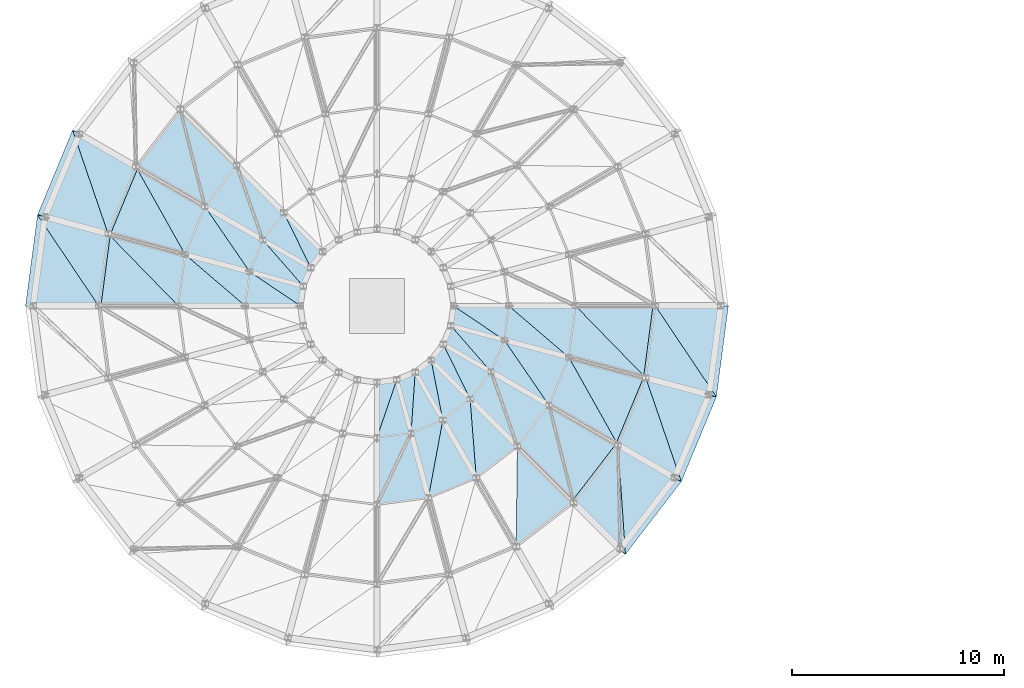
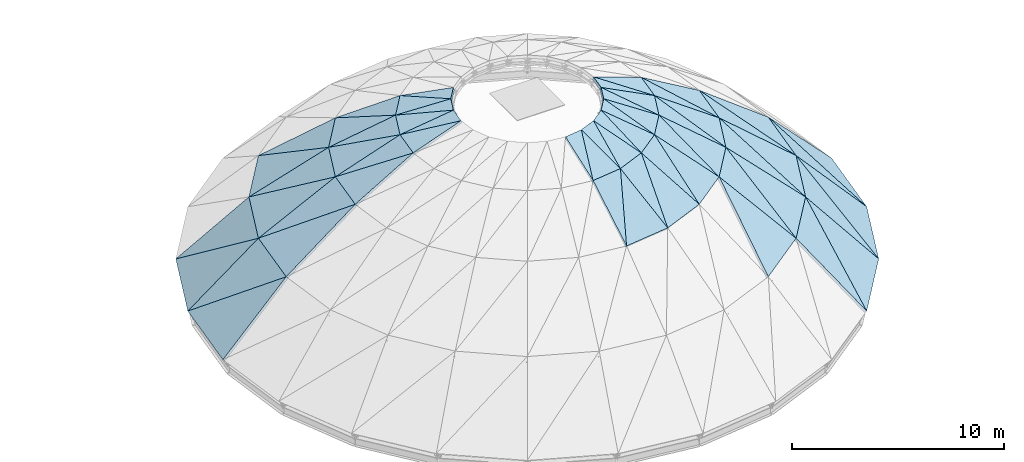
# One storey, part 11 of 19: 59 slabs.
"""IFC4 building model written with IfcOpenShell, lengths in metres."""

from ifc_helpers import new_model, si_unit, direction, frame, origin, place, context, subcontext, project, spatial, polyline, outline, extrude, material, layer, layer_set, type_object, element, save


model = new_model("IFC4")

# Units and contexts
model_context = context("Model", 3, precision=1e-05, world=origin(), true_north=direction((0.0, 1.0)))
body_context = subcontext(model_context, "Body", "Model", "MODEL_VIEW")
ifc_project = project(units=[si_unit("LENGTHUNIT", "METRE"), si_unit("AREAUNIT", "SQUARE_METRE"), si_unit("VOLUMEUNIT", "CUBIC_METRE"), si_unit("PLANEANGLEUNIT", "RADIAN"), si_unit("MASSUNIT", "GRAM", prefix="KILO")], contexts=[model_context])

# Site, building, storey
site_placement = place(None, origin())
site = spatial("IfcSite", under=ifc_project, at=site_placement, CompositionType="ELEMENT")
building_placement = place(site_placement, origin())
building = spatial("IfcBuilding", under=site, at=building_placement, Name="Montecoro Central Library", CompositionType="ELEMENT")
storey_placement = place(building_placement, frame((0.0, 0.0, 25.5)))
storey = spatial("IfcBuildingStorey", under=building, at=storey_placement, Name="ROOF", CompositionType="ELEMENT", Elevation=25.5)

# Slabs
ifc_material = material(Name="Concrete C32/40", Category="concrete")
ifc_layer = layer(ifc_material, 0.14990234375)
ifc_layer_set = layer_set([ifc_layer], Name="Concrete C32/40")
slab_type = type_object("IfcSlabType", Name="SL-DOME-150", PredefinedType="ROOF", material=ifc_layer_set)
slab_1_placement = place(storey_placement, frame((77.27587890625, 43.669921875, -7.77001953125), z_axis=(-0.667242434106, 0.276305912795, 0.691695436361), x_axis=(-0.382594844115, -0.92391622199, 0.0)))
element("IfcSlab", 1, at=slab_1_placement, inside=storey, type_object=slab_type, Name="V1-DOME-GORE-S1-11A", PredefinedType="ROOF", context=body_context, shape_type="SweptSolid", body=[
    extrude(outline(polyline([(0.0, 0.0), (4.317505826752867, 2.220446049250313e-16), (3.868703723551898, 4.929536429153015), (0.0, 0.0)])), origin(), (0.0, 0.0, -1.0), 0.14990234375),
])
slab_2_placement = place(storey_placement, frame((77.27587890625, 43.669921875, -7.77001953125), z_axis=(-0.667118424321, 0.276406358512, 0.691774914915), x_axis=(0.266529133152, -0.778587662171, 0.568122762699)))
element("IfcSlab", 2, at=slab_2_placement, inside=storey, type_object=slab_type, Name="V1-DOME-GORE-S1-11B", PredefinedType="ROOF", context=body_context, shape_type="SweptSolid", body=[
    extrude(outline(polyline([(0.0, 0.0), (6.266354435153742, 4.440892098500626e-16), (4.15568962118892, 2.690171826545099), (0.0, 0.0)])), origin(), (0.0, 0.0, -1.0), 0.14990234375),
])
slab_3_placement = place(storey_placement, frame((75.6240234375, 39.680908203125, -7.77001953125), z_axis=(-0.715929039282, 0.094314005175, 0.691773430496), x_axis=(-0.130608081992, -0.99143407694, 0.0)))
element("IfcSlab", 3, at=slab_3_placement, inside=storey, type_object=slab_type, Name="V1-DOME-GORE-S1-12A", PredefinedType="ROOF", context=body_context, shape_type="SweptSolid", body=[
    extrude(outline(polyline([(0.0, 0.0), (4.317993459118372, 5.551115123125783e-17), (3.86870930988276, 4.930046432094945), (0.0, 0.0)])), origin(), (0.0, 0.0, -1.0), 0.14990234375),
])
slab_4_placement = place(storey_placement, frame((75.6240234375, 39.680908203125, -7.77001953125), z_axis=(-0.716025431315, 0.094181314832, 0.691691738888), x_axis=(0.458925661444, -0.683129157337, 0.568086077689)))
element("IfcSlab", 4, at=slab_4_placement, inside=storey, type_object=slab_type, Name="V1-DOME-GORE-S1-12B", PredefinedType="ROOF", context=body_context, shape_type="SweptSolid", body=[
    extrude(outline(polyline([(0.0, 0.0), (6.266759094379298, 0.0), (4.154892196931274, 2.690469023435111), (0.0, 0.0)])), origin(), (0.0, 0.0, -1.0), 0.14990234375),
])
slab_5_placement = place(storey_placement, frame((103.2958984375, 23.7041015625, -7.77001953125), z_axis=(0.572920348526, -0.439530184712, 0.691791508311), x_axis=(0.608685540582, 0.793411565763, 0.0)))
element("IfcSlab", 5, at=slab_5_placement, inside=storey, type_object=slab_type, Name="V1-DOME-GORE-S1-22A", PredefinedType="ROOF", context=body_context, shape_type="SweptSolid", body=[
    extrude(outline(polyline([(0.0, 0.0), (4.317785872839549, 0.0), (3.869347622397871, 4.930164673576801), (0.0, 0.0)])), origin(), (0.0, 0.0, -1.0), 0.14990234375),
])
slab_6_placement = place(storey_placement, frame((103.2958984375, 23.7041015625, -7.77001953125), z_axis=(0.57281900387, -0.439575314047, 0.69184675477), x_axis=(-0.055978346441, 0.821093657824, 0.568041926103)))
element("IfcSlab", 6, at=slab_6_placement, inside=storey, type_object=slab_type, Name="V1-DOME-GORE-S1-22B", PredefinedType="ROOF", context=body_context, shape_type="SweptSolid", body=[
    extrude(outline(polyline([(0.0, 0.0), (6.2672461840541, -4.440892098500626e-16), (4.156057101791433, 2.690508323970491), (0.0, 0.0)])), origin(), (0.0, 0.0, -1.0), 0.14990234375),
])
slab_7_placement = place(storey_placement, frame((105.924072265625, 27.1298828125, -7.77001953125), z_axis=(0.66723368892, -0.276302291403, 0.691705318858), x_axis=(0.382594844115, 0.92391622199, 0.0)))
element("IfcSlab", 7, at=slab_7_placement, inside=storey, type_object=slab_type, Name="V1-DOME-GORE-S1-23A", PredefinedType="ROOF", context=body_context, shape_type="SweptSolid", body=[
    extrude(outline(polyline([(0.0, 0.0), (4.317505826752867, 2.220446049250313e-16), (3.868929289035783, 4.929601038771706), (0.0, 0.0)])), origin(), (0.0, 0.0, -1.0), 0.14990234375),
])
slab_8_placement = place(storey_placement, frame((105.924072265625, 27.1298828125, -7.77001953125), z_axis=(0.667109676577, -0.27640273407, 0.69178479892), x_axis=(-0.266521048368, 0.778603004187, 0.5681055295)))
element("IfcSlab", 8, at=slab_8_placement, inside=storey, type_object=slab_type, Name="V1-DOME-GORE-S1-23B", PredefinedType="ROOF", context=body_context, shape_type="SweptSolid", body=[
    extrude(outline(polyline([(0.0, 0.0), (6.266544521905036, -2.220446049250313e-16), (4.155820661829568, 2.6901254988855587), (0.0, 0.0)])), origin(), (0.0, 0.0, -1.0), 0.14990234375),
])
slab_9_placement = place(storey_placement, frame((107.575927734375, 31.118896484375, -7.77001953125), z_axis=(0.715929039282, -0.094314005175, 0.691773430496), x_axis=(0.130608081992, 0.99143407694, 0.0)))
element("IfcSlab", 9, at=slab_9_placement, inside=storey, type_object=slab_type, Name="V1-DOME-GORE-S1-24A", PredefinedType="ROOF", context=body_context, shape_type="SweptSolid", body=[
    extrude(outline(polyline([(0.0, 0.0), (4.317993459118372, 5.551115123125783e-17), (3.86870930988276, 4.930046432094945), (0.0, 0.0)])), origin(), (0.0, 0.0, -1.0), 0.14990234375),
])
slab_10_placement = place(storey_placement, frame((107.575927734375, 31.118896484375, -7.77001953125), z_axis=(0.716020935501, -0.094187504439, 0.691695550031), x_axis=(-0.458925661444, 0.683129157337, 0.568086077689)))
element("IfcSlab", 10, at=slab_10_placement, inside=storey, type_object=slab_type, Name="V1-DOME-GORE-S1-24B", PredefinedType="ROOF", context=body_context, shape_type="SweptSolid", body=[
    extrude(outline(polyline([(0.0, 0.0), (6.266759094379297, -4.440892098500626e-16), (4.155058976510702, 2.6902922170959727), (0.0, 0.0)])), origin(), (0.0, 0.0, -1.0), 0.14990234375),
])
slab_11_placement = place(storey_placement, frame((82.3369140625, 44.6630859375, -4.2099609375), z_axis=(-0.482600181607, 0.370342333191, 0.793689877067), x_axis=(-0.608792664465, -0.793329371506, 0.0)))
element("IfcSlab", 11, at=slab_11_placement, inside=storey, type_object=slab_type, Name="V1-DOME-GORE-S2-10A", PredefinedType="ROOF", context=body_context, shape_type="SweptSolid", body=[
    extrude(outline(polyline([(0.0, 0.0), (3.4199348506104013, 2.220446049250313e-16), (2.930040310844845, 4.684773409955421), (0.0, 0.0)])), origin(), (0.0, 0.0, -1.0), 0.14990234375),
])
slab_12_placement = place(storey_placement, frame((82.3369140625, 44.6630859375, -4.2099609375), z_axis=(-0.482522698279, 0.370380285552, 0.793719276394), x_axis=(0.211020695324, -0.830341693306, 0.515754727077)))
element("IfcSlab", 12, at=slab_12_placement, inside=storey, type_object=slab_type, Name="V1-DOME-GORE-S2-10B", PredefinedType="ROOF", context=body_context, shape_type="SweptSolid", body=[
    extrude(outline(polyline([(0.0, 0.0), (5.525598440513126, 1.1102230246251565e-16), (4.231622206265569, 2.06937266823894), (0.0, 0.0)])), origin(), (0.0, 0.0, -1.0), 0.14990234375),
])
slab_13_placement = place(storey_placement, frame((80.2548828125, 41.949951171875, -4.2099609375), z_axis=(-0.561944496403, 0.232829773956, 0.793730860759), x_axis=(-0.382774280043, -0.923841896938, 0.0)))
element("IfcSlab", 13, at=slab_13_placement, inside=storey, type_object=slab_type, Name="V1-DOME-GORE-S2-11A", PredefinedType="ROOF", context=body_context, shape_type="SweptSolid", body=[
    extrude(outline(polyline([(0.0, 0.0), (3.4193464892061107, -1.1102230246251565e-16), (2.9295390937656283, 4.685185271359492), (0.0, 0.0)])), origin(), (0.0, 0.0, -1.0), 0.14990234375),
])
slab_14_placement = place(storey_placement, frame((80.2548828125, 41.949951171875, -4.2099609375), z_axis=(-0.562026811185, 0.232757963705, 0.793693639789), x_axis=(0.418809665707, -0.747397858962, 0.515746938264)))
element("IfcSlab", 14, at=slab_14_placement, inside=storey, type_object=slab_type, Name="V1-DOME-GORE-S2-11B", PredefinedType="ROOF", context=body_context, shape_type="SweptSolid", body=[
    extrude(outline(polyline([(0.0, 0.0), (5.52568188813517, -3.3306690738754696e-16), (4.231487636658871, 2.0692053893996514), (0.0, 0.0)])), origin(), (0.0, 0.0, -1.0), 0.14990234375),
])
slab_15_placement = place(storey_placement, frame((78.946044921875, 38.791015625, -4.2099609375), z_axis=(-0.603156387617, 0.079335257032, 0.79366761876), x_axis=(-0.130410197921, -0.99146012541, 0.0)))
element("IfcSlab", 15, at=slab_15_placement, inside=storey, type_object=slab_type, Name="V1-DOME-GORE-S2-12A", PredefinedType="ROOF", context=body_context, shape_type="SweptSolid", body=[
    extrude(outline(polyline([(0.0, 0.0), (3.420322405651347, 0.0), (2.9312841634471836, 4.684549781802093), (0.0, 0.0)])), origin(), (0.0, 0.0, -1.0), 0.14990234375),
])
slab_16_placement = place(storey_placement, frame((78.946044921875, 38.791015625, -4.2099609375), z_axis=(-0.603039602964, 0.079509004446, 0.793738971872), x_axis=(0.597885287598, -0.613657477628, 0.515710852149)))
element("IfcSlab", 16, at=slab_16_placement, inside=storey, type_object=slab_type, Name="V1-DOME-GORE-S2-12B", PredefinedType="ROOF", context=body_context, shape_type="SweptSolid", body=[
    extrude(outline(polyline([(0.0, 0.0), (5.526068539663464, -3.3306690738754696e-16), (4.2316958578186155, 2.0696913969268165), (0.0, 0.0)])), origin(), (0.0, 0.0, -1.0), 0.14990234375),
])
slab_17_placement = place(storey_placement, frame((98.14990234375, 24.054931640625, -4.2099609375), z_axis=(0.370322879047, -0.48257483054, 0.793714368135), x_axis=(0.793329371506, 0.608792664465, 0.0)))
element("IfcSlab", 17, at=slab_17_placement, inside=storey, type_object=slab_type, Name="V1-DOME-GORE-S2-21A", PredefinedType="ROOF", context=body_context, shape_type="SweptSolid", body=[
    extrude(outline(polyline([(0.0, 0.0), (3.4199348506104013, 2.220446049250313e-16), (2.9305251219527, 4.685019514805613), (0.0, 0.0)])), origin(), (0.0, 0.0, -1.0), 0.14990234375),
])
slab_18_placement = place(storey_placement, frame((100.863037109375, 26.136962890625, -4.2099609375), z_axis=(0.482600181607, -0.370342333191, 0.793689877067), x_axis=(0.608792664465, 0.793329371506, 0.0)))
element("IfcSlab", 18, at=slab_18_placement, inside=storey, type_object=slab_type, Name="V1-DOME-GORE-S2-22A", PredefinedType="ROOF", context=body_context, shape_type="SweptSolid", body=[
    extrude(outline(polyline([(0.0, 0.0), (3.4199348506104013, 2.220446049250313e-16), (2.930040310844845, 4.684773409955421), (0.0, 0.0)])), origin(), (0.0, 0.0, -1.0), 0.14990234375),
])
slab_19_placement = place(storey_placement, frame((100.863037109375, 26.136962890625, -4.2099609375), z_axis=(0.482522698279, -0.370380285552, 0.793719276394), x_axis=(-0.211020695324, 0.830341693306, 0.515754727077)))
element("IfcSlab", 19, at=slab_19_placement, inside=storey, type_object=slab_type, Name="V1-DOME-GORE-S2-22B", PredefinedType="ROOF", context=body_context, shape_type="SweptSolid", body=[
    extrude(outline(polyline([(0.0, 0.0), (5.525598440513126, 1.1102230246251565e-16), (4.231622206265569, 2.06937266823894), (0.0, 0.0)])), origin(), (0.0, 0.0, -1.0), 0.14990234375),
])
slab_20_placement = place(storey_placement, frame((102.945068359375, 28.85009765625, -4.2099609375), z_axis=(0.561965969236, -0.232838670769, 0.793713048157), x_axis=(0.382774280043, 0.923841896938, 0.0)))
element("IfcSlab", 20, at=slab_20_placement, inside=storey, type_object=slab_type, Name="V1-DOME-GORE-S2-23A", PredefinedType="ROOF", context=body_context, shape_type="SweptSolid", body=[
    extrude(outline(polyline([(0.0, 0.0), (3.4193464892061107, 0.0), (2.9296325445175917, 4.685006249485417), (0.0, 0.0)])), origin(), (0.0, 0.0, -1.0), 0.14990234375),
])
slab_21_placement = place(storey_placement, frame((102.945068359375, 28.85009765625, -4.2099609375), z_axis=(0.562000991886, -0.232808119852, 0.793697212072), x_axis=(-0.418773231548, 0.747411688634, 0.515756481522)))
element("IfcSlab", 21, at=slab_21_placement, inside=storey, type_object=slab_type, Name="V1-DOME-GORE-S2-23B", PredefinedType="ROOF", context=body_context, shape_type="SweptSolid", body=[
    extrude(outline(polyline([(0.0, 0.0), (5.525579644129116, 2.220446049250313e-16), (4.231422424324644, 2.0693387421202933), (0.0, 0.0)])), origin(), (0.0, 0.0, -1.0), 0.14990234375),
])
slab_22_placement = place(storey_placement, frame((104.25390625, 32.009033203125, -4.2099609375), z_axis=(0.603156114274, -0.079340933169, 0.793667259081), x_axis=(0.130419427678, 0.991458911344, 0.0)))
element("IfcSlab", 22, at=slab_22_placement, inside=storey, type_object=slab_type, Name="V1-DOME-GORE-S2-24A", PredefinedType="ROOF", context=body_context, shape_type="SweptSolid", body=[
    extrude(outline(polyline([(0.0, 0.0), (3.420080350104863, 0.0), (2.9310074963106634, 4.684546168435292), (0.0, 0.0)])), origin(), (0.0, 0.0, -1.0), 0.14990234375),
])
slab_23_placement = place(storey_placement, frame((104.25390625, 32.009033203125, -4.2099609375), z_axis=(0.603075477659, -0.07946091342, 0.793716530939), x_axis=(-0.597901497102, 0.613629933736, 0.515724833789)))
element("IfcSlab", 23, at=slab_23_placement, inside=storey, type_object=slab_type, Name="V1-DOME-GORE-S2-24B", PredefinedType="ROOF", context=body_context, shape_type="SweptSolid", body=[
    extrude(outline(polyline([(0.0, 0.0), (5.525918724305586, -2.220446049250313e-16), (4.231621715522811, 2.0694156088267035), (0.0, 0.0)])), origin(), (0.0, 0.0, -1.0), 0.14990234375),
])
slab_24_placement = place(storey_placement, frame((84.989013671875, 42.010986328125, -1.360107421875), z_axis=(-0.404310637855, 0.310345378641, 0.860359607416), x_axis=(-0.608893448778, -0.793252020505, 0.0)))
element("IfcSlab", 24, at=slab_24_placement, inside=storey, type_object=slab_type, Name="V1-DOME-GORE-S3-10A", PredefinedType="ROOF", context=body_context, shape_type="SweptSolid", body=[
    extrude(outline(polyline([(0.0, 0.0), (2.440630601883832, 0.0), (2.028885823472403, 3.629866658315534), (0.0, 0.0)])), origin(), (0.0, 0.0, -1.0), 0.14990234375),
])
slab_25_placement = place(storey_placement, frame((84.989013671875, 42.010986328125, -1.360107421875), z_axis=(-0.404417161491, 0.31029154718, 0.860328957574), x_axis=(0.298658780815, -0.844311367584, 0.44490588579)))
element("IfcSlab", 25, at=slab_25_placement, inside=storey, type_object=slab_type, Name="V1-DOME-GORE-S3-10B", PredefinedType="ROOF", context=body_context, shape_type="SweptSolid", body=[
    extrude(outline(polyline([(0.0, 0.0), (4.158402294371971, 0.0), (3.3685718984893205, 1.41247834210025), (0.0, 0.0)])), origin(), (0.0, 0.0, -1.0), 0.14990234375),
])
slab_26_placement = place(storey_placement, frame((83.5029296875, 40.074951171875, -1.360107421875), z_axis=(-0.470965962929, 0.195045994825, 0.860318616365), x_axis=(-0.382625672996, -0.92390345511, 0.0)))
element("IfcSlab", 26, at=slab_26_placement, inside=storey, type_object=slab_type, Name="V1-DOME-GORE-S3-11A", PredefinedType="ROOF", context=body_context, shape_type="SweptSolid", body=[
    extrude(outline(polyline([(0.0, 0.0), (2.440604372706658, -1.1102230246251565e-16), (2.0298128080279443, 3.629373991847008), (0.0, 0.0)])), origin(), (0.0, 0.0, -1.0), 0.14990234375),
])
slab_27_placement = place(storey_placement, frame((83.5029296875, 40.074951171875, -1.360107421875), z_axis=(-0.470801170852, 0.195193365904, 0.860375387509), x_axis=(0.506959839833, -0.738276778912, 0.444903493486)))
element("IfcSlab", 27, at=slab_27_placement, inside=storey, type_object=slab_type, Name="V1-DOME-GORE-S3-11B", PredefinedType="ROOF", context=body_context, shape_type="SweptSolid", body=[
    extrude(outline(polyline([(0.0, 0.0), (4.15842465464144, -1.1102230246251565e-16), (3.368865093919264, 1.4128742685293023), (0.0, 0.0)])), origin(), (0.0, 0.0, -1.0), 0.14990234375),
])
slab_28_placement = place(storey_placement, frame((82.569091796875, 37.820068359375, -1.360107421875), z_axis=(-0.505328074303, 0.066626025735, 0.860351387525), x_axis=(-0.130715805804, -0.991419879825, 0.0)))
element("IfcSlab", 28, at=slab_28_placement, inside=storey, type_object=slab_type, Name="V1-DOME-GORE-S3-12A", PredefinedType="ROOF", context=body_context, shape_type="SweptSolid", body=[
    extrude(outline(polyline([(0.0, 0.0), (2.4411110417224173, 0.0), (2.029369018656244, 3.629767846469642), (0.0, 0.0)])), origin(), (0.0, 0.0, -1.0), 0.14990234375),
])
slab_29_placement = place(storey_placement, frame((82.569091796875, 37.820068359375, -1.360107421875), z_axis=(-0.505409699066, 0.066501276193, 0.860313092051), x_axis=(0.680720277139, -0.58197327359, 0.444889888759)))
element("IfcSlab", 29, at=slab_29_placement, inside=storey, type_object=slab_type, Name="V1-DOME-GORE-S3-12B", PredefinedType="ROOF", context=body_context, shape_type="SweptSolid", body=[
    extrude(outline(polyline([(0.0, 0.0), (4.158551819221046, 1.1102230246251565e-16), (3.368251706707689, 1.4127935880967935), (0.0, 0.0)])), origin(), (0.0, 0.0, -1.0), 0.14990234375),
])
slab_30_placement = place(storey_placement, frame((91.60009765625, 26.050048828125, -1.360107421875), z_axis=(0.066590316746, -0.505392970589, 0.860316032046), x_axis=(0.991431129538, 0.130630453508, 0.0)))
element("IfcSlab", 30, at=slab_30_placement, inside=storey, type_object=slab_type, Name="V1-DOME-GORE-S3-19A", PredefinedType="ROOF", context=body_context, shape_type="SweptSolid", body=[
    extrude(outline(polyline([(0.0, 0.0), (2.440837091860011, 0.0), (2.030255631977014, 3.6293429387278704), (0.0, 0.0)])), origin(), (0.0, 0.0, -1.0), 0.14990234375),
])
slab_31_placement = place(storey_placement, frame((91.60009765625, 26.050048828125, -1.360107421875), z_axis=(0.066414606599, -0.505335212707, 0.860363541085), x_axis=(0.385941223593, 0.808163505322, 0.444883266259)))
element("IfcSlab", 31, at=slab_31_placement, inside=storey, type_object=slab_type, Name="V1-DOME-GORE-S3-19B", PredefinedType="ROOF", context=body_context, shape_type="SweptSolid", body=[
    extrude(outline(polyline([(0.0, 0.0), (4.158613723113538, -2.7755575615628914e-16), (3.368713607757163, 1.4129808002004862), (0.0, 0.0)])), origin(), (0.0, 0.0, -1.0), 0.14990234375),
])
slab_32_placement = place(storey_placement, frame((94.02001953125, 26.368896484375, -1.360107421875), z_axis=(0.195058510502, -0.470873079718, 0.860366619691), x_axis=(0.923868089985, 0.382711055899, 0.0)))
element("IfcSlab", 32, at=slab_32_placement, inside=storey, type_object=slab_type, Name="V1-DOME-GORE-S3-20A", PredefinedType="ROOF", context=body_context, shape_type="SweptSolid", body=[
    extrude(outline(polyline([(0.0, 0.0), (2.4406977976005217, 1.1102230246251565e-16), (2.029696891868433, 3.6299509604383458), (0.0, 0.0)])), origin(), (0.0, 0.0, -1.0), 0.14990234375),
])
slab_33_placement = place(storey_placement, frame((94.02001953125, 26.368896484375, -1.360107421875), z_axis=(0.195338427563, -0.470888658256, 0.860294583409), x_axis=(0.163489450246, 0.880553591991, 0.444855674674)))
element("IfcSlab", 33, at=slab_33_placement, inside=storey, type_object=slab_type, Name="V1-DOME-GORE-S3-20B", PredefinedType="ROOF", context=body_context, shape_type="SweptSolid", body=[
    extrude(outline(polyline([(0.0, 0.0), (4.158871655635412, -1.1102230246251565e-16), (3.368429266105135, 1.4122292948880226), (0.0, 0.0)])), origin(), (0.0, 0.0, -1.0), 0.14990234375),
])
slab_34_placement = place(storey_placement, frame((96.27490234375, 27.302978515625, -1.360107421875), z_axis=(0.310370499936, -0.404343365285, 0.860335164758), x_axis=(0.793252020505, 0.608893448778, 0.0)))
element("IfcSlab", 34, at=slab_34_placement, inside=storey, type_object=slab_type, Name="V1-DOME-GORE-S3-21A", PredefinedType="ROOF", context=body_context, shape_type="SweptSolid", body=[
    extrude(outline(polyline([(0.0, 0.0), (2.440630601883832, 2.220446049250313e-16), (2.0300547006904623, 3.6295728580031925), (0.0, 0.0)])), origin(), (0.0, 0.0, -1.0), 0.14990234375),
])
slab_35_placement = place(storey_placement, frame((96.27490234375, 27.302978515625, -1.360107421875), z_axis=(0.310253671282, -0.404367796102, 0.860365820411), x_axis=(-0.069977272885, 0.892855992703, 0.444872293557)))
element("IfcSlab", 35, at=slab_35_placement, inside=storey, type_object=slab_type, Name="V1-DOME-GORE-S3-21B", PredefinedType="ROOF", context=body_context, shape_type="SweptSolid", body=[
    extrude(outline(polyline([(0.0, 0.0), (4.1587162946453695, 0.0), (3.3690035376981466, 1.4125441170728907), (0.0, 0.0)])), origin(), (0.0, 0.0, -1.0), 0.14990234375),
])
slab_36_placement = place(storey_placement, frame((98.2109375, 28.7890625, -1.360107421875), z_axis=(0.404310637855, -0.310345378641, 0.860359607416), x_axis=(0.608893448778, 0.793252020505, 0.0)))
element("IfcSlab", 36, at=slab_36_placement, inside=storey, type_object=slab_type, Name="V1-DOME-GORE-S3-22A", PredefinedType="ROOF", context=body_context, shape_type="SweptSolid", body=[
    extrude(outline(polyline([(0.0, 0.0), (2.440630601883832, 0.0), (2.028885823472403, 3.629866658315534), (0.0, 0.0)])), origin(), (0.0, 0.0, -1.0), 0.14990234375),
])
slab_37_placement = place(storey_placement, frame((98.2109375, 28.7890625, -1.360107421875), z_axis=(0.404417161491, -0.31029154718, 0.860328957574), x_axis=(-0.298658780815, 0.844311367584, 0.44490588579)))
element("IfcSlab", 37, at=slab_37_placement, inside=storey, type_object=slab_type, Name="V1-DOME-GORE-S3-22B", PredefinedType="ROOF", context=body_context, shape_type="SweptSolid", body=[
    extrude(outline(polyline([(0.0, 0.0), (4.158402294371971, 0.0), (3.3685718984893205, 1.41247834210025), (0.0, 0.0)])), origin(), (0.0, 0.0, -1.0), 0.14990234375),
])
slab_38_placement = place(storey_placement, frame((99.697021484375, 30.72509765625, -1.360107421875), z_axis=(0.470962605974, -0.195095596628, 0.860309207175), x_axis=(0.382711055899, 0.923868089985, 0.0)))
element("IfcSlab", 38, at=slab_38_placement, inside=storey, type_object=slab_type, Name="V1-DOME-GORE-S3-23A", PredefinedType="ROOF", context=body_context, shape_type="SweptSolid", body=[
    extrude(outline(polyline([(0.0, 0.0), (2.4406977976005217, 0.0), (2.0293921159279096, 3.629260935551112), (0.0, 0.0)])), origin(), (0.0, 0.0, -1.0), 0.14990234375),
])
slab_39_placement = place(storey_placement, frame((99.697021484375, 30.72509765625, -1.360107421875), z_axis=(0.470753671323, -0.195282431024, 0.860381167314), x_axis=(-0.506938190641, 0.738272041825, 0.444936021389)))
element("IfcSlab", 39, at=slab_39_placement, inside=storey, type_object=slab_type, Name="V1-DOME-GORE-S3-23B", PredefinedType="ROOF", context=body_context, shape_type="SweptSolid", body=[
    extrude(outline(polyline([(0.0, 0.0), (4.15812064501593, -5.551115123125783e-17), (3.368858753447012, 1.4128893866907308), (0.0, 0.0)])), origin(), (0.0, 0.0, -1.0), 0.14990234375),
])
slab_40_placement = place(storey_placement, frame((100.631103515625, 32.97998046875, -1.360107421875), z_axis=(0.50532956395, -0.06658196232, 0.860353923738), x_axis=(0.130630453508, 0.991431129538, 0.0)))
element("IfcSlab", 40, at=slab_40_placement, inside=storey, type_object=slab_type, Name="V1-DOME-GORE-S3-24A", PredefinedType="ROOF", context=body_context, shape_type="SweptSolid", body=[
    extrude(outline(polyline([(0.0, 0.0), (2.440837091860011, 0.0), (2.0293639201885147, 3.6297983334915576), (0.0, 0.0)])), origin(), (0.0, 0.0, -1.0), 0.14990234375),
])
slab_41_placement = place(storey_placement, frame((100.631103515625, 32.97998046875, -1.360107421875), z_axis=(0.505430822792, -0.066427172329, 0.860306407129), x_axis=(-0.68077503627, 0.581911190023, 0.444887308111)))
element("IfcSlab", 41, at=slab_41_placement, inside=storey, type_object=slab_type, Name="V1-DOME-GORE-S3-24B", PredefinedType="ROOF", context=body_context, shape_type="SweptSolid", body=[
    extrude(outline(polyline([(0.0, 0.0), (4.158575941639276, 0.0), (3.368220831318568, 1.4127263477280954), (0.0, 0.0)])), origin(), (0.0, 0.0, -1.0), 0.14990234375),
])
slab_42_placement = place(storey_placement, frame((87.216064453125, 39.783935546875, 0.489990234375), z_axis=(-0.271836624229, 0.208568316936, 0.93947012028), x_axis=(-0.608726045846, -0.793380489493, 0.0)))
element("IfcSlab", 42, at=slab_42_placement, inside=storey, type_object=slab_type, Name="V1-DOME-GORE-S4-10A", PredefinedType="ROOF", context=body_context, shape_type="SweptSolid", body=[
    extrude(outline(polyline([(0.0, 0.0), (1.618309958309104, 0.0), (1.2795152717489247, 2.7433064808685375), (0.0, 0.0)])), origin(), (0.0, 0.0, -1.0), 0.14990234375),
])
slab_43_placement = place(storey_placement, frame((87.216064453125, 39.783935546875, 0.489990234375), z_axis=(-0.271953756029, 0.208503812296, 0.939450538794), x_axis=(0.418188977421, -0.853637827777, 0.310516405607)))
element("IfcSlab", 43, at=slab_43_placement, inside=storey, type_object=slab_type, Name="V1-DOME-GORE-S4-10B", PredefinedType="ROOF", context=body_context, shape_type="SweptSolid", body=[
    extrude(outline(polyline([(0.0, 0.0), (3.027026557302404, -5.551115123125783e-17), (2.6293457888478584, 0.8518887654952627), (0.0, 0.0)])), origin(), (0.0, 0.0, -1.0), 0.14990234375),
])
slab_44_placement = place(storey_placement, frame((86.23095703125, 38.5, 0.489990234375), z_axis=(-0.316411831846, 0.131183808141, 0.939507509895), x_axis=(-0.382986768439, -0.923753828247, 0.0)))
element("IfcSlab", 44, at=slab_44_placement, inside=storey, type_object=slab_type, Name="V1-DOME-GORE-S4-11A", PredefinedType="ROOF", context=body_context, shape_type="SweptSolid", body=[
    extrude(outline(polyline([(0.0, 0.0), (1.6185234006958338, -1.1102230246251565e-16), (1.2780240574785906, 2.744127699923539), (0.0, 0.0)])), origin(), (0.0, 0.0, -1.0), 0.14990234375),
])
slab_45_placement = place(storey_placement, frame((86.23095703125, 38.5, 0.489990234375), z_axis=(-0.316664228167, 0.130941326415, 0.939456297885), x_axis=(0.625041871403, -0.716177008782, 0.3105046716)))
element("IfcSlab", 45, at=slab_45_placement, inside=storey, type_object=slab_type, Name="V1-DOME-GORE-S4-11B", PredefinedType="ROOF", context=body_context, shape_type="SweptSolid", body=[
    extrude(outline(polyline([(0.0, 0.0), (3.0271409489783743, 2.7755575615628914e-17), (2.62987588177704, 0.8510376807545993), (0.0, 0.0)])), origin(), (0.0, 0.0, -1.0), 0.14990234375),
])
slab_46_placement = place(storey_placement, frame((85.611083984375, 37.0048828125, 0.489990234375), z_axis=(-0.339630296571, 0.044688196917, 0.93949679441), x_axis=(-0.130454512571, -0.991454295543, 0.0)))
element("IfcSlab", 46, at=slab_46_placement, inside=storey, type_object=slab_type, Name="V1-DOME-GORE-S4-12A", PredefinedType="ROOF", context=body_context, shape_type="SweptSolid", body=[
    extrude(outline(polyline([(0.0, 0.0), (1.6188143779958333, 0.0), (1.279619905611733, 2.743892268133725), (0.0, 0.0)])), origin(), (0.0, 0.0, -1.0), 0.14990234375),
])
slab_47_placement = place(storey_placement, frame((85.611083984375, 37.0048828125, 0.489990234375), z_axis=(-0.339549032089, 0.044822606646, 0.939519764955), x_axis=(0.789045678638, -0.530116125842, 0.310457420823)))
element("IfcSlab", 47, at=slab_47_placement, inside=storey, type_object=slab_type, Name="V1-DOME-GORE-S4-12B", PredefinedType="ROOF", context=body_context, shape_type="SweptSolid", body=[
    extrude(outline(polyline([(0.0, 0.0), (3.02760167161432, -2.498001805406602e-16), (2.630554712036086, 0.8522667089613248), (0.0, 0.0)])), origin(), (0.0, 0.0, -1.0), 0.14990234375),
])
slab_48_placement = place(storey_placement, frame((91.60009765625, 29.199951171875, 0.489990234375), z_axis=(0.04462796819, -0.339565119074, 0.939523216511), x_axis=(0.991473791138, 0.13030626035, 0.0)))
element("IfcSlab", 48, at=slab_48_placement, inside=storey, type_object=slab_type, Name="V1-DOME-GORE-S4-19A", PredefinedType="ROOF", context=body_context, shape_type="SweptSolid", body=[
    extrude(outline(polyline([(0.0, 0.0), (1.618782546846617, -2.7755575615628914e-17), (1.278782101738639, 2.7444729071238583), (0.0, 0.0)])), origin(), (0.0, 0.0, -1.0), 0.14990234375),
])
slab_49_placement = place(storey_placement, frame((91.60009765625, 29.199951171875, 0.489990234375), z_axis=(0.044844764818, -0.339627911332, 0.939490196283), x_axis=(0.307778841966, 0.899388316293, 0.310439754145)))
element("IfcSlab", 49, at=slab_49_placement, inside=storey, type_object=slab_type, Name="V1-DOME-GORE-S4-19B", PredefinedType="ROOF", context=body_context, shape_type="SweptSolid", body=[
    extrude(outline(polyline([(0.0, 0.0), (3.027773968060359, 1.3877787807814457e-16), (2.630292632318978, 0.8517971223175589), (0.0, 0.0)])), origin(), (0.0, 0.0, -1.0), 0.14990234375),
])
slab_50_placement = place(storey_placement, frame((93.205078125, 29.410888671875, 0.489990234375), z_axis=(0.131282680923, -0.316473958777, 0.939472772945), x_axis=(0.923678313308, 0.383168857717, 0.0)))
element("IfcSlab", 50, at=slab_50_placement, inside=storey, type_object=slab_type, Name="V1-DOME-GORE-S4-20A", PredefinedType="ROOF", context=body_context, shape_type="SweptSolid", body=[
    extrude(outline(polyline([(0.0, 0.0), (1.6183914089324178, 0.0), (1.280068618353122, 2.7433647181866596), (0.0, 0.0)])), origin(), (0.0, 0.0, -1.0), 0.14990234375),
])
slab_51_placement = place(storey_placement, frame((93.205078125, 29.410888671875, 0.489990234375), z_axis=(0.13085915041, -0.316465496401, 0.939534710557), x_axis=(0.064355486621, 0.948396644936, 0.310486996854)))
element("IfcSlab", 51, at=slab_51_placement, inside=storey, type_object=slab_type, Name="V1-DOME-GORE-S4-20B", PredefinedType="ROOF", context=body_context, shape_type="SweptSolid", body=[
    extrude(outline(polyline([(0.0, 0.0), (3.027313271645972, 5.551115123125783e-17), (2.631090902751252, 0.8515236356497127), (0.0, 0.0)])), origin(), (0.0, 0.0, -1.0), 0.14990234375),
])
slab_52_placement = place(storey_placement, frame((94.699951171875, 30.031005859375, 0.489990234375), z_axis=(0.208592319614, -0.271867908017, 0.9394557386), x_axis=(0.793380489493, 0.608726045846, 0.0)))
element("IfcSlab", 52, at=slab_52_placement, inside=storey, type_object=slab_type, Name="V1-DOME-GORE-S4-21A", PredefinedType="ROOF", context=body_context, shape_type="SweptSolid", body=[
    extrude(outline(polyline([(0.0, 0.0), (1.618309958309104, 1.1102230246251565e-16), (1.278935287465655, 2.7429908091167405), (0.0, 0.0)])), origin(), (0.0, 0.0, -1.0), 0.14990234375),
])
slab_53_placement = place(storey_placement, frame((94.699951171875, 30.031005859375, 0.489990234375), z_axis=(0.208462514558, -0.271899890947, 0.939475294687), x_axis=(-0.183035166333, 0.932761405159, 0.310570908057)))
element("IfcSlab", 53, at=slab_53_placement, inside=storey, type_object=slab_type, Name="V1-DOME-GORE-S4-21B", PredefinedType="ROOF", context=body_context, shape_type="SweptSolid", body=[
    extrude(outline(polyline([(0.0, 0.0), (3.0264953408891557, -8.326672684688674e-17), (2.6294971709734716, 0.8522070848445457), (0.0, 0.0)])), origin(), (0.0, 0.0, -1.0), 0.14990234375),
])
slab_54_placement = place(storey_placement, frame((95.98388671875, 31.01611328125, 0.489990234375), z_axis=(0.271836624229, -0.208568316936, 0.93947012028), x_axis=(0.608726045846, 0.793380489493, 0.0)))
element("IfcSlab", 54, at=slab_54_placement, inside=storey, type_object=slab_type, Name="V1-DOME-GORE-S4-22A", PredefinedType="ROOF", context=body_context, shape_type="SweptSolid", body=[
    extrude(outline(polyline([(0.0, 0.0), (1.618309958309104, 0.0), (1.2795152717489247, 2.7433064808685375), (0.0, 0.0)])), origin(), (0.0, 0.0, -1.0), 0.14990234375),
])
slab_55_placement = place(storey_placement, frame((95.98388671875, 31.01611328125, 0.489990234375), z_axis=(0.271953756029, -0.208503812296, 0.939450538794), x_axis=(-0.418188977421, 0.853637827777, 0.310516405607)))
element("IfcSlab", 55, at=slab_55_placement, inside=storey, type_object=slab_type, Name="V1-DOME-GORE-S4-22B", PredefinedType="ROOF", context=body_context, shape_type="SweptSolid", body=[
    extrude(outline(polyline([(0.0, 0.0), (3.027026557302404, -5.551115123125783e-17), (2.6293457888478584, 0.8518887654952627), (0.0, 0.0)])), origin(), (0.0, 0.0, -1.0), 0.14990234375),
])
slab_56_placement = place(storey_placement, frame((96.968994140625, 32.300048828125, 0.489990234375), z_axis=(0.316358683809, -0.131234861485, 0.939518277794), x_axis=(0.383168857717, 0.923678313308, 0.0)))
element("IfcSlab", 56, at=slab_56_placement, inside=storey, type_object=slab_type, Name="V1-DOME-GORE-S4-23A", PredefinedType="ROOF", context=body_context, shape_type="SweptSolid", body=[
    extrude(outline(polyline([(0.0, 0.0), (1.6183914089324178, 0.0), (1.277515814176605, 2.7443643470775476), (0.0, 0.0)])), origin(), (0.0, 0.0, -1.0), 0.14990234375),
])
slab_57_placement = place(storey_placement, frame((96.968994140625, 32.300048828125, 0.489990234375), z_axis=(0.316664228167, -0.130941326415, 0.939456297885), x_axis=(-0.625041871403, 0.716177008782, 0.3105046716)))
element("IfcSlab", 57, at=slab_57_placement, inside=storey, type_object=slab_type, Name="V1-DOME-GORE-S4-23B", PredefinedType="ROOF", context=body_context, shape_type="SweptSolid", body=[
    extrude(outline(polyline([(0.0, 0.0), (3.0271409489783743, 2.7755575615628914e-17), (2.62987588177704, 0.8510376807545993), (0.0, 0.0)])), origin(), (0.0, 0.0, -1.0), 0.14990234375),
])
slab_58_placement = place(storey_placement, frame((97.589111328125, 33.794921875, 0.489990234375), z_axis=(0.339631080229, -0.044636637255, 0.939498962191), x_axis=(0.13030626035, 0.991473791138, 0.0)))
element("IfcSlab", 58, at=slab_58_placement, inside=storey, type_object=slab_type, Name="V1-DOME-GORE-S4-24A", PredefinedType="ROOF", context=body_context, shape_type="SweptSolid", body=[
    extrude(outline(polyline([(0.0, 0.0), (1.618782546846617, 2.7755575615628914e-17), (1.2799735447149665, 2.7439398917058164), (0.0, 0.0)])), origin(), (0.0, 0.0, -1.0), 0.14990234375),
])
slab_59_placement = place(storey_placement, frame((97.589111328125, 33.794921875, 0.489990234375), z_axis=(0.33951432482, -0.044829766756, 0.939531966063), x_axis=(-0.789076109183, 0.530082397483, 0.310437668133)))
element("IfcSlab", 59, at=slab_59_placement, inside=storey, type_object=slab_type, Name="V1-DOME-GORE-S4-24B", PredefinedType="ROOF", context=body_context, shape_type="SweptSolid", body=[
    extrude(outline(polyline([(0.0, 0.0), (3.02779431343424, 2.7755575615628914e-16), (2.6309119520661284, 0.8520763704540215), (0.0, 0.0)])), origin(), (0.0, 0.0, -1.0), 0.14990234375),
])

save(model, "model.ifc")
